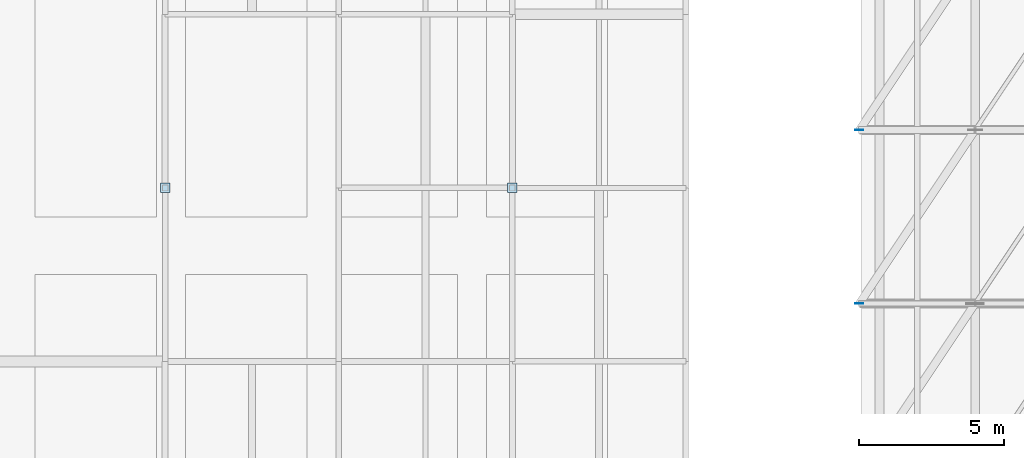
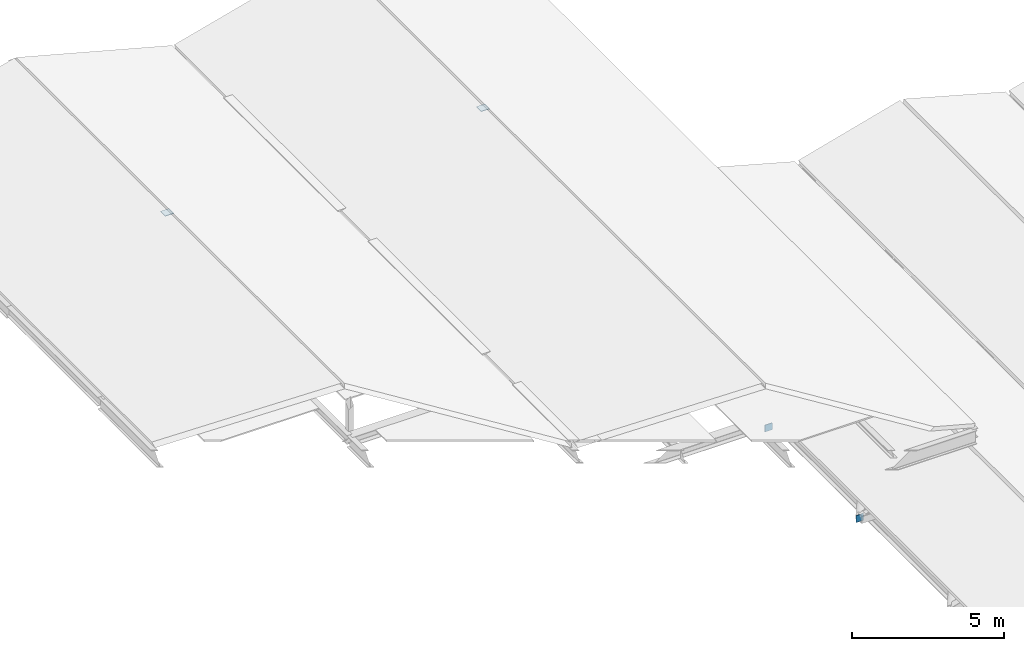
# One storey, part 10 of 27: 4 plates.
"""IFC4 building model written with IfcOpenShell, lengths in metres."""

import ifcopenshell
import ifcopenshell.guid

model = None  # the IFC model being written
_history = None  # IfcOwnerHistory: only IFC2X3 demands one
_inside = {}  # id of a spatial element -> (the spatial element, [elements in it])
_under = {}  # id of a project, library or spatial element -> (it, [spatial elements below it])
_declared = {}  # id of a project -> (the project, [libraries it declares])
_typed = {}  # id of a type object -> (the type object, [elements of that type])
_made_of = {}  # id of a material, layer set ... -> (it, [elements and type objects made of it])


def new_model(schema):
    """Start an empty IFC model of exactly this schema.

    Asked for "IFC4X3", IfcOpenShell would pick the latest addendum, in which some entities
    have other attributes; the version numbers below select the first issue.
    IFC2X3 requires an IfcOwnerHistory on every rooted entity: one is made here for all.
    """
    global model, _history
    if schema == "IFC4X3":
        model = ifcopenshell.file(schema_version=(4, 3, 0, 0))
    else:
        model = ifcopenshell.file(schema=schema)
    _inside.clear()
    _under.clear()
    _declared.clear()
    _typed.clear()
    _made_of.clear()
    _history = None
    if model.schema == "IFC2X3":
        org = make("IfcOrganization", Name="unknown")
        user = make(
            "IfcPersonAndOrganization",
            ThePerson=make("IfcPerson", FamilyName="unknown"),
            TheOrganization=org,
        )
        app = make(
            "IfcApplication",
            ApplicationDeveloper=org,
            Version="unknown",
            ApplicationFullName="unknown",
            ApplicationIdentifier="unknown",
        )
        _history = make(
            "IfcOwnerHistory",
            OwningUser=user,
            OwningApplication=app,
            ChangeAction="ADDED",
            CreationDate=0,
        )
    return model


def make(cls, **values):
    """One entity of the class cls with the attributes given. An attribute that is None is left unset."""
    return model.create_entity(
        cls, **{name: value for name, value in values.items() if value is not None}
    )


def rooted(cls, **values):
    """An entity with a GlobalId (a new one), such as an element, a storey or a relation."""
    return make(cls, GlobalId=ifcopenshell.guid.new(), OwnerHistory=_history, **values)


def si_unit(unit_type, name, prefix=None):
    """IfcSIUnit, for example si_unit("LENGTHUNIT", "METRE", prefix="MILLI")."""
    return make("IfcSIUnit", UnitType=unit_type, Prefix=prefix, Name=name)


def assignment(units):
    """IfcUnitAssignment: the units of a project."""
    return None if units is None else make("IfcUnitAssignment", Units=units)


def point(xyz):
    """IfcCartesianPoint."""
    return None if xyz is None else make("IfcCartesianPoint", Coordinates=xyz)


def direction(xyz):
    """IfcDirection."""
    return None if xyz is None else make("IfcDirection", DirectionRatios=xyz)


def frame(location, z_axis=None, x_axis=None):
    """IfcAxis2Placement3D, a coordinate frame: its origin and axes. An axis left out is left unset."""
    return make(
        "IfcAxis2Placement3D",
        Location=point(location),
        Axis=direction(z_axis),
        RefDirection=direction(x_axis),
    )


def frame_2d(location, x_axis=None):
    """IfcAxis2Placement2D, a coordinate frame in the plane: its origin and x axis."""
    return make(
        "IfcAxis2Placement2D", Location=point(location), RefDirection=direction(x_axis)
    )


def origin():
    """The frame at (0, 0, 0) with its axes left unset."""
    return frame((0.0, 0.0, 0.0))


def origin_2d():
    """The frame at (0, 0) in the plane with its x axis left unset."""
    return frame_2d((0.0, 0.0))


def place(relative_to, where):
    """IfcLocalPlacement: puts the frame where relative to a parent placement (None: the world)."""
    return make(
        "IfcLocalPlacement", PlacementRelTo=relative_to, RelativePlacement=where
    )


def context(
    kind, dimensions, precision=None, world=None, true_north=None, identifier=None
):
    """IfcGeometricRepresentationContext, for example the 3D "Model" context."""
    return make(
        "IfcGeometricRepresentationContext",
        ContextIdentifier=identifier,
        ContextType=kind,
        CoordinateSpaceDimension=dimensions,
        Precision=precision,
        WorldCoordinateSystem=world,
        TrueNorth=true_north,
    )


def subcontext(parent, identifier, kind, view, scale=None):
    """IfcGeometricRepresentationSubContext, for example "Body" below "Model"."""
    return make(
        "IfcGeometricRepresentationSubContext",
        ContextIdentifier=identifier,
        ContextType=kind,
        ParentContext=parent,
        TargetScale=scale,
        TargetView=view,
    )


def project(units=None, contexts=None):
    """IfcProject with its units and contexts."""
    return rooted(
        "IfcProject",
        Name="project",
        RepresentationContexts=contexts,
        UnitsInContext=assignment(units),
    )


def spatial(cls, under=None, at=None, **own):
    """A site, building, storey or space (cls), placed at a placement, below another one or the project."""
    s = rooted(cls, ObjectPlacement=at, **own)
    if under is not None:
        _under.setdefault(under.id(), (under, []))[1].append(s)
    return s


def profile(cls, at=None, kind="AREA", **sizes):
    """A parametric profile (cls). Its sizes go by their IFC names, for example OverallWidth=200.0."""
    return make(cls, ProfileType=kind, Position=at, **sizes)


def rectangle(**sizes):
    """IfcRectangleProfileDef."""
    return profile("IfcRectangleProfileDef", **sizes)


def extrude(swept, where, along, depth):
    """IfcExtrudedAreaSolid: the profile swept, set in the frame where, extruded along a direction by depth."""
    return make(
        "IfcExtrudedAreaSolid",
        SweptArea=swept,
        Position=where,
        ExtrudedDirection=direction(along),
        Depth=depth,
    )


def shape(context_of_items, identifier, shape_type, items):
    """IfcShapeRepresentation: the items that make up one representation, for example the "Body"."""
    return make(
        "IfcShapeRepresentation",
        ContextOfItems=context_of_items,
        RepresentationIdentifier=identifier,
        RepresentationType=shape_type,
        Items=items,
    )


def material(Name=None, Category=None):
    """IfcMaterial."""
    return make("IfcMaterial", Name=Name, Category=Category)


def layer(
    of_material, thickness, ventilated=None, Name=None, Category=None, Priority=None
):
    """IfcMaterialLayer: one layer of a wall or slab, of a material (None: an air gap)."""
    return make(
        "IfcMaterialLayer",
        Material=of_material,
        LayerThickness=thickness,
        IsVentilated=ventilated,
        Name=Name,
        Category=Category,
        Priority=Priority,
    )


def layer_set(layers, Name=None):
    """IfcMaterialLayerSet."""
    return make("IfcMaterialLayerSet", MaterialLayers=layers, LayerSetName=Name)


def made_of(thing, what):
    """Note that an element or type object is made of a material, layer set ...; save() writes the relation."""
    if what is not None:
        _made_of.setdefault(what.id(), (what, []))[1].append(thing)
    return thing


def type_object(cls, material=None, **own):
    """A type object (cls), such as IfcWallType, which elements share."""
    return made_of(rooted(cls, **own), material)


def element(
    cls,
    number,
    at=None,
    inside=None,
    cuts=None,
    type_object=None,
    material=None,
    context=None,
    identifier="Body",
    shape_type=None,
    held_by="IfcProductDefinitionShape",
    body=None,
    shapes=None,
    **own,
):
    """One element of the class cls, such as IfcWall. Its Tag is "e" and its number.

    at: its placement. inside: the storey or other place that contains it. cuts: it is an
    opening in that element (IfcRelVoidsElement). A single representation is given by context,
    identifier, shape_type and body (its items); several are given by shapes. held_by: the class
    of the entity that holds the representations. save() writes the other relations.
    """
    e = rooted(cls, Tag="e%d" % number, ObjectPlacement=at, **own)
    if body is not None:
        shapes = [shape(context, identifier, shape_type, body)]
    if shapes is not None:
        e.Representation = make(held_by, Representations=shapes)
    if inside is not None:
        _inside.setdefault(inside.id(), (inside, []))[1].append(e)
    if cuts is not None:
        rooted(
            "IfcRelVoidsElement", RelatingBuildingElement=cuts, RelatedOpeningElement=e
        )
    if type_object is not None:
        _typed.setdefault(type_object.id(), (type_object, []))[1].append(e)
    return made_of(e, material)


def aggregate(whole, parts):
    """IfcRelAggregates: a whole, such as a stair, and the parts it consists of."""
    return rooted("IfcRelAggregates", RelatingObject=whole, RelatedObjects=parts)


def save(model, path):
    """Write the relations noted so far, then the file.

    IfcRelAggregates (storeys below a building ...), IfcRelContainedInSpatialStructure (elements
    in a storey), IfcRelDefinesByType, IfcRelAssociatesMaterial and IfcRelDeclares: one each for
    every whole, place, type object, material and project.
    """
    for whole, parts in _under.values():
        aggregate(whole, parts)
    for where, things in _inside.values():
        rooted(
            "IfcRelContainedInSpatialStructure",
            RelatedElements=things,
            RelatingStructure=where,
        )
    for kind, things in _typed.values():
        rooted("IfcRelDefinesByType", RelatedObjects=things, RelatingType=kind)
    for what, things in _made_of.values():
        rooted("IfcRelAssociatesMaterial", RelatedObjects=things, RelatingMaterial=what)
    for by, libraries in _declared.values():
        rooted("IfcRelDeclares", RelatingContext=by, RelatedDefinitions=libraries)
    model.write(path)


model = new_model("IFC4")

# Units and contexts
model_context = context("Model", 3, precision=1e-05, world=origin(), true_north=direction((0.0, 1.0)))
body_context = subcontext(model_context, "Body", "Model", "MODEL_VIEW")
ifc_project = project(units=[si_unit("LENGTHUNIT", "METRE"), si_unit("AREAUNIT", "SQUARE_METRE"), si_unit("VOLUMEUNIT", "CUBIC_METRE"), si_unit("PLANEANGLEUNIT", "RADIAN"), si_unit("MASSUNIT", "GRAM", prefix="KILO")], contexts=[model_context])

# Site, building, storey
site_placement = place(None, origin())
site = spatial("IfcSite", under=ifc_project, at=site_placement, CompositionType="ELEMENT")
building_placement = place(site_placement, origin())
building = spatial("IfcBuilding", under=site, at=building_placement, Name="Verrall Gate Interchange", CompositionType="ELEMENT")
storey_placement = place(building_placement, frame((0.0, 0.0, 32.800048828125)))
storey = spatial("IfcBuildingStorey", under=building, at=storey_placement, Name="RF", CompositionType="ELEMENT", Elevation=32.800048828125)

# Plates
ifc_material = material(Name="Structural Steel CSA G40.21 350WT Cat 4", Category="steel")
ifc_layer = layer(ifc_material, 0.02001953125)
ifc_layer_set = layer_set([ifc_layer], Name="Structural Steel CSA G40.21 350WT Cat 4")
plate_type = type_object("IfcPlateType", Name="GP-01 Gusset Plate 20", PredefinedType="SHEET", material=ifc_layer_set)
for number, where, z_axis, x_axis, name in (
    (1, (36.0, 30.0, -16.9482421875), (0.0, 0.0, 1.0), (1.0, 0.0, 0.0), "Folded-Plate Valley Gusset Node KN-V1-0-3"),
    (2, (36.0, 36.0, -16.9482421875), (0.0, 0.0, 1.0), (1.0, 0.0, 0.0), "Folded-Plate Valley Gusset Node KN-V1-0-4"),
):
    element("IfcPlate", number, at=place(storey_placement, frame(where, z_axis=z_axis, x_axis=x_axis)), inside=storey, type_object=plate_type, Name=name, PredefinedType="SHEET", context=body_context, shape_type="SweptSolid", body=[
        extrude(rectangle(XDim=0.280029296875, YDim=0.02001953125, at=origin_2d()), origin(), (0.0, 0.0, 1.0), 0.280029296875),
    ])
for number, where, z_axis, x_axis, name in (
    (3, (12.0, 34.0, 1.429931640625), (0.0, 0.0, 1.0), (1.0, 0.0, 0.0), "RF King-Post Cap Plate 003"),
    (4, (24.0, 34.0, 1.429931640625), (0.0, 0.0, 1.0), (1.0, 0.0, 0.0), "RF King-Post Cap Plate 007"),
):
    element("IfcPlate", number, at=place(storey_placement, frame(where, z_axis=z_axis, x_axis=x_axis)), inside=storey, type_object=plate_type, Name=name, PredefinedType="SHEET", context=body_context, shape_type="SweptSolid", body=[
        extrude(rectangle(XDim=0.320068359375, YDim=0.320068359375, at=origin_2d()), origin(), (0.0, 0.0, 1.0), 0.02001953125),
    ])

save(model, "model.ifc")
